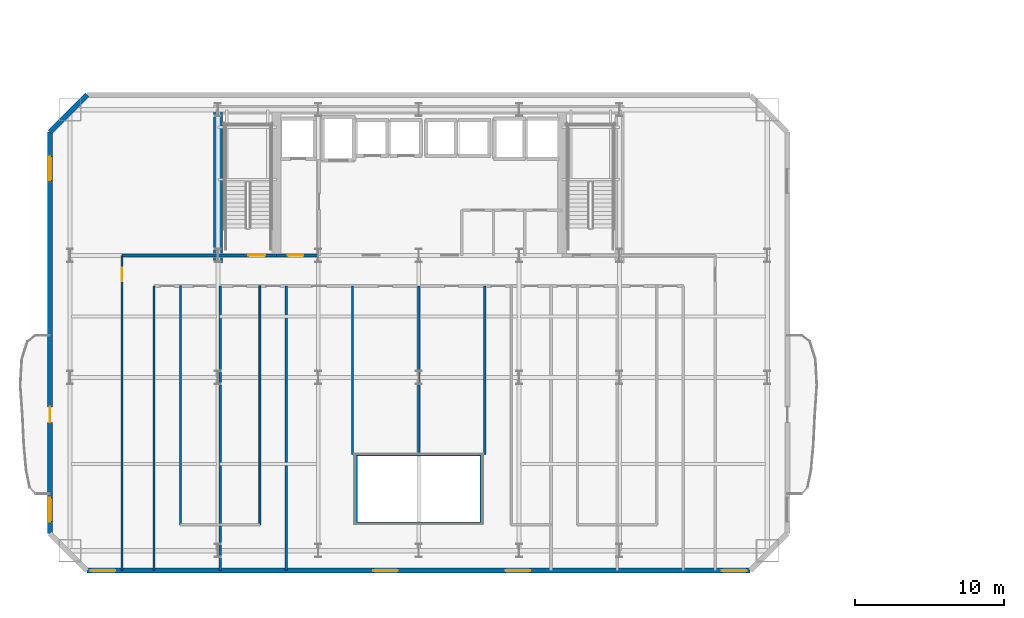
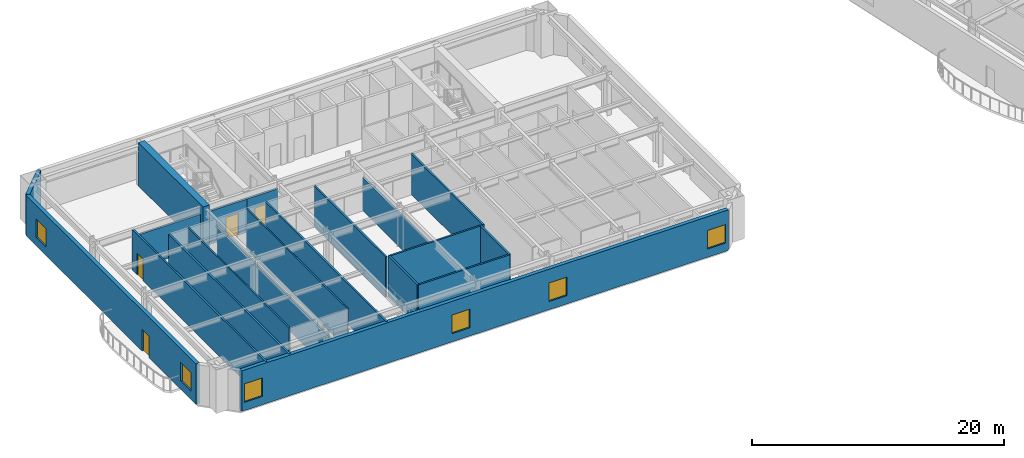
# One storey, part 5 of 15: 20 walls, 6 windows, 4 doors, 10 openings.
"""IFC4 building model written with IfcOpenShell, lengths in metres."""

from ifc_helpers import new_model, si_unit, direction, frame, frame_2d, origin, place, context, subcontext, project, spatial, rectangle, extrude, material, layer, layer_set, type_object, element, fill, save


model = new_model("IFC4")

# Units and contexts
model_context = context("Model", 3, precision=1e-05, world=origin(), true_north=direction((0.0, 1.0)))
body_context = subcontext(model_context, "Body", "Model", "MODEL_VIEW")
ifc_project = project(units=[si_unit("LENGTHUNIT", "METRE"), si_unit("AREAUNIT", "SQUARE_METRE"), si_unit("VOLUMEUNIT", "CUBIC_METRE"), si_unit("PLANEANGLEUNIT", "RADIAN"), si_unit("MASSUNIT", "GRAM", prefix="KILO")], contexts=[model_context])

# Site, building, storey
site_placement = place(None, origin())
site = spatial("IfcSite", under=ifc_project, at=site_placement, CompositionType="ELEMENT")
building_placement = place(site_placement, origin())
building = spatial("IfcBuilding", under=site, at=building_placement, Name="Haevon Station Towers", CompositionType="ELEMENT")
storey_placement = place(building_placement, frame((0.0, 0.0, 73.5)))
storey = spatial("IfcBuildingStorey", under=building, at=storey_placement, Name="L19", CompositionType="ELEMENT", Elevation=73.5)

# Walls
ifc_material_1 = material(Name="Gypsum board on steel stud", Category="steel")
ifc_layer_1 = layer(ifc_material_1, 0.179931640625)
ifc_layer_set_1 = layer_set([ifc_layer_1], Name="Gypsum board on steel stud")
wall_type_1 = type_object("IfcWallType", Name="WL-ACU180", PredefinedType="PARTITIONING", material=ifc_layer_set_1)
wall_1_placement = place(storey_placement, frame((17.550048828125, 38.199951171875, 0.0), z_axis=(0.0, 0.0, 1.0), x_axis=(1.0, 0.0, 0.0)))
element("IfcWall", 1, at=wall_1_placement, inside=storey, type_object=wall_type_1, Name="WL-T1PT-L19-03", PredefinedType="PARTITIONING", context=body_context, shape_type="SweptSolid", body=[
    extrude(rectangle(XDim=6.449951171875, YDim=0.179931640625, at=frame_2d((3.22509765625, 0.0))), origin(), (0.0, 0.0, 1.0), 3.22998046875),
])
wall_2_placement = place(storey_placement, frame((33.300048828125, 20.199951171875, 0.0), z_axis=(0.0, 0.0, 1.0), x_axis=(0.0, 1.0, 0.0)))
element("IfcWall", 2, at=wall_2_placement, inside=storey, type_object=wall_type_1, Name="WL-T1PT-L19-09", PredefinedType="PARTITIONING", context=body_context, shape_type="SweptSolid", body=[
    extrude(rectangle(XDim=4.60009765625, YDim=0.179931640625, at=frame_2d((2.300048828125, 0.0))), origin(), (0.0, 0.0, 1.0), 3.929931640625),
])
wall_3_placement = place(storey_placement, frame((37.5, 24.800048828125, 0.0), z_axis=(0.0, 0.0, 1.0), x_axis=(0.0, 1.0, 0.0)))
element("IfcWall", 3, at=wall_3_placement, inside=storey, type_object=wall_type_1, Name="WL-T1PT-L19-18", PredefinedType="PARTITIONING", context=body_context, shape_type="SweptSolid", body=[
    extrude(rectangle(XDim=11.349853515625, YDim=0.179931640625, at=frame_2d((5.6748046875, 0.0))), origin(), (0.0, 0.0, 1.0), 3.22998046875),
])

# Wall, opening, door
ifc_layer_2 = layer(ifc_material_1, 0.199951171875)
ifc_layer_set_2 = layer_set([ifc_layer_2], Name="Gypsum board on steel stud")
wall_type_2 = type_object("IfcWallType", Name="WL-COR200", PredefinedType="PARTITIONING", material=ifc_layer_set_2)
wall_4_placement = place(storey_placement, frame((24.0, 38.199951171875, 0.0), z_axis=(0.0, 0.0, 1.0), x_axis=(1.0, 0.0, 0.0)))
wall_4 = element("IfcWall", 4, at=wall_4_placement, inside=storey, type_object=wall_type_2, Name="WL-ST-ST1-L19", PredefinedType="PARTITIONING", context=body_context, shape_type="SweptSolid", body=[
    extrude(rectangle(XDim=3.949951171875, YDim=0.199951171875, at=frame_2d((1.97509765625, 0.0))), origin(), (0.0, 0.0, 1.0), 3.22998046875),
])
opening_1_placement = place(wall_4_placement, frame((2.050048828125, 0.0, 0.0)))
opening_1 = element("IfcOpeningElement", 5, at=opening_1_placement, cuts=wall_4, Name="Opening DR-ST-ST1-L19", PredefinedType="OPENING", context=body_context, shape_type="SweptSolid", body=[
    extrude(rectangle(XDim=1.1201171875, YDim=2.10009765625, at=frame_2d((0.56005859375, 1.050048828125))), frame((0.0, 0.10986328125, 0.0), z_axis=(0.0, -1.0, 0.0), x_axis=(1.0, 0.0, 0.0)), (0.0, 0.0, 1.0), 0.219970703125),
])
ifc_material_2 = material(Name="Engineered oak timber", Category="wood")
door_type_1 = type_object("IfcDoorType", Name="DR-ST-1120", OperationType="NOTDEFINED", PredefinedType="DOOR", material=ifc_material_2)
door_1_placement = place(opening_1_placement, origin())
door_1 = element("IfcDoor", 6, at=door_1_placement, inside=storey, type_object=door_type_1, Name="L19 Escape Stair ST1 Fire Door", OperationType="SINGLE_SWING_LEFT", OverallHeight=2.10009765625, OverallWidth=1.1201171875, PredefinedType="DOOR", context=body_context, shape_type="SweptSolid", body=[
    extrude(rectangle(XDim=1.1201171875, YDim=2.10009765625, at=frame_2d((0.56005859375, 1.050048828125))), frame((0.0, 0.02490234375, 0.0), z_axis=(0.0, -1.0, 0.0), x_axis=(1.0, 0.0, 0.0)), (0.0, 0.0, 1.0), 0.050048828125),
])
fill(opening_1, door_1)

wall_5_placement = place(storey_placement, frame((27.949951171875, 38.199951171875, 0.0), z_axis=(0.0, 0.0, 1.0), x_axis=(1.0, 0.0, 0.0)))
wall_5 = element("IfcWall", 7, at=wall_5_placement, inside=storey, type_object=wall_type_2, Name="WL-T1FFL-L19-S", PredefinedType="PARTITIONING", context=body_context, shape_type="SweptSolid", body=[
    extrude(rectangle(XDim=2.85009765625, YDim=0.199951171875, at=frame_2d((1.425048828125, 0.0))), origin(), (0.0, 0.0, 1.0), 3.22998046875),
])
opening_2_placement = place(wall_5_placement, frame((0.75, 0.0, 0.0)))
opening_2 = element("IfcOpeningElement", 8, at=opening_2_placement, cuts=wall_5, Name="Opening DR-T1FFL-L19-S", PredefinedType="OPENING", context=body_context, shape_type="SweptSolid", body=[
    extrude(rectangle(XDim=1.050048828125, YDim=2.10009765625, at=frame_2d((0.52490234375, 1.050048828125))), frame((0.0, 0.10986328125, 0.0), z_axis=(0.0, -1.0, 0.0), x_axis=(1.0, 0.0, 0.0)), (0.0, 0.0, 1.0), 0.219970703125),
])
door_type_2 = type_object("IfcDoorType", Name="DR-FD60-1050", OperationType="NOTDEFINED", PredefinedType="DOOR", material=ifc_material_2)
door_2_placement = place(opening_2_placement, origin())
door_2 = element("IfcDoor", 9, at=door_2_placement, inside=storey, type_object=door_type_2, Name="L19 Tower 1 Firefighting Lift Lobby Door S", OperationType="SINGLE_SWING_RIGHT", OverallHeight=2.10009765625, OverallWidth=1.050048828125, PredefinedType="DOOR", context=body_context, shape_type="SweptSolid", body=[
    extrude(rectangle(XDim=1.050048828125, YDim=2.10009765625, at=frame_2d((0.52490234375, 1.050048828125))), frame((0.0, 0.02490234375, 0.0), z_axis=(0.0, -1.0, 0.0), x_axis=(1.0, 0.0, 0.0)), (0.0, 0.0, 1.0), 0.050048828125),
])
fill(opening_2, door_2)

# Wall
ifc_material_3 = material(Name="Concrete C60/75", Category="concrete")
ifc_layer_3 = layer(ifc_material_3, 0.60009765625)
ifc_layer_set_3 = layer_set([ifc_layer_3], Name="Concrete C60/75")
wall_type_3 = type_object("IfcWallType", Name="WL-CR600", PredefinedType="SHEAR", material=ifc_layer_set_3)
wall_6_placement = place(storey_placement, frame((24.0, 37.679931640625, 0.0), z_axis=(0.0, 0.0, 1.0), x_axis=(0.0, 1.0, 0.0)))
element("IfcWall", 10, at=wall_6_placement, inside=storey, type_object=wall_type_3, Name="WL-T1CR-L19-W", PredefinedType="SHEAR", context=body_context, shape_type="SweptSolid", body=[
    extrude(rectangle(XDim=10.320068359375, YDim=0.60009765625, at=frame_2d((5.16015625, 0.0))), origin(), (0.0, 0.0, 1.0), 4.199951171875),
])

# Wall, openings, windows
ifc_material_4 = material(Name="Precast concrete C45/55", Category="concrete")
ifc_layer_4 = layer(ifc_material_4, 0.340087890625)
ifc_layer_set_4 = layer_set([ifc_layer_4], Name="Precast concrete C45/55")
wall_type_4 = type_object("IfcWallType", Name="WL-EXT-PIER340", PredefinedType="SOLIDWALL", material=ifc_layer_set_4)
wall_7_placement = place(storey_placement, frame((59.800048828125, 17.0, 0.0), z_axis=(0.0, 0.0, 1.0), x_axis=(-1.0, 0.0, 0.0)))
wall_7 = element("IfcWall", 11, at=wall_7_placement, inside=storey, type_object=wall_type_4, Name="WL-T1-L19-S", PredefinedType="SOLIDWALL", context=body_context, shape_type="SweptSolid", body=[
    extrude(rectangle(XDim=44.60009765625, YDim=0.340087890625, at=frame_2d((22.300048828125, 0.0))), origin(), (0.0, 0.0, 1.0), 3.929931640625),
])
opening_3_placement = place(wall_7_placement, frame((42.699951171875, 0.0, 0.800048828125)))
opening_3 = element("IfcOpeningElement", 12, at=opening_3_placement, cuts=wall_7, Name="Opening WN-P165", PredefinedType="OPENING", context=body_context, shape_type="SweptSolid", body=[
    extrude(rectangle(XDim=1.64990234375, YDim=1.800048828125, at=frame_2d((0.824951171875, 0.89990234375))), frame((0.0, 0.179931640625, 0.0), z_axis=(0.0, -1.0, 0.0), x_axis=(1.0, 0.0, 0.0)), (0.0, 0.0, 1.0), 0.360107421875),
])
opening_4_placement = place(wall_7_placement, frame((0.25, 0.0, 0.800048828125)))
opening_4 = element("IfcOpeningElement", 13, at=opening_4_placement, cuts=wall_7, Name="Opening WN-P165", PredefinedType="OPENING", context=body_context, shape_type="SweptSolid", body=[
    extrude(rectangle(XDim=1.64990234375, YDim=1.800048828125, at=frame_2d((0.824951171875, 0.89990234375))), frame((0.0, 0.179931640625, 0.0), z_axis=(0.0, -1.0, 0.0), x_axis=(1.0, 0.0, 0.0)), (0.0, 0.0, 1.0), 0.360107421875),
])
opening_5_placement = place(wall_7_placement, frame((23.699951171875, 0.0, 0.800048828125)))
opening_5 = element("IfcOpeningElement", 14, at=opening_5_placement, cuts=wall_7, Name="Opening WN-P165", PredefinedType="OPENING", context=body_context, shape_type="SweptSolid", body=[
    extrude(rectangle(XDim=1.64990234375, YDim=1.800048828125, at=frame_2d((0.824951171875, 0.89990234375))), frame((0.0, 0.179931640625, 0.0), z_axis=(0.0, -1.0, 0.0), x_axis=(1.0, 0.0, 0.0)), (0.0, 0.0, 1.0), 0.360107421875),
])
opening_6_placement = place(wall_7_placement, frame((14.800048828125, 0.0, 0.800048828125)))
opening_6 = element("IfcOpeningElement", 15, at=opening_6_placement, cuts=wall_7, Name="Opening WN-P165", PredefinedType="OPENING", context=body_context, shape_type="SweptSolid", body=[
    extrude(rectangle(XDim=1.64990234375, YDim=1.800048828125, at=frame_2d((0.824951171875, 0.89990234375))), frame((0.0, 0.179931640625, 0.0), z_axis=(0.0, -1.0, 0.0), x_axis=(1.0, 0.0, 0.0)), (0.0, 0.0, 1.0), 0.360107421875),
])
ifc_material_5 = material(Name="Low-E triple glazing in thermally broken aluminium", Category="aluminium")
window_type_1 = type_object("IfcWindowType", Name="WN-P165", PartitioningType="SINGLE_PANEL", PredefinedType="WINDOW", material=ifc_material_5)
window_1_placement = place(opening_3_placement, origin())
window_1 = element("IfcWindow", 16, at=window_1_placement, inside=storey, type_object=window_type_1, Name="WN-T1-L19-S01", OverallHeight=1.800048828125, OverallWidth=1.64990234375, PartitioningType="SINGLE_PANEL", PredefinedType="WINDOW", context=body_context, shape_type="SweptSolid", body=[
    extrude(rectangle(XDim=1.64990234375, YDim=1.800048828125, at=frame_2d((0.824951171875, 0.89990234375))), frame((0.0, 0.030029296875, 0.0), z_axis=(0.0, -1.0, 0.0), x_axis=(1.0, 0.0, 0.0)), (0.0, 0.0, 1.0), 0.06005859375),
])
fill(opening_3, window_1)
window_2_placement = place(opening_4_placement, origin())
window_2 = element("IfcWindow", 17, at=window_2_placement, inside=storey, type_object=window_type_1, Name="WN-T1-L19-S02", OverallHeight=1.800048828125, OverallWidth=1.64990234375, PartitioningType="SINGLE_PANEL", PredefinedType="WINDOW", context=body_context, shape_type="SweptSolid", body=[
    extrude(rectangle(XDim=1.64990234375, YDim=1.800048828125, at=frame_2d((0.824951171875, 0.89990234375))), frame((0.0, 0.030029296875, 0.0), z_axis=(0.0, -1.0, 0.0), x_axis=(1.0, 0.0, 0.0)), (0.0, 0.0, 1.0), 0.06005859375),
])
fill(opening_4, window_2)
window_3_placement = place(opening_5_placement, origin())
window_3 = element("IfcWindow", 18, at=window_3_placement, inside=storey, type_object=window_type_1, Name="WN-T1-L19-S03", OverallHeight=1.800048828125, OverallWidth=1.64990234375, PartitioningType="SINGLE_PANEL", PredefinedType="WINDOW", context=body_context, shape_type="SweptSolid", body=[
    extrude(rectangle(XDim=1.64990234375, YDim=1.800048828125, at=frame_2d((0.824951171875, 0.89990234375))), frame((0.0, 0.030029296875, 0.0), z_axis=(0.0, -1.0, 0.0), x_axis=(1.0, 0.0, 0.0)), (0.0, 0.0, 1.0), 0.06005859375),
])
fill(opening_5, window_3)
window_4_placement = place(opening_6_placement, origin())
window_4 = element("IfcWindow", 19, at=window_4_placement, inside=storey, type_object=window_type_1, Name="WN-T1-L19-S04", OverallHeight=1.800048828125, OverallWidth=1.64990234375, PartitioningType="SINGLE_PANEL", PredefinedType="WINDOW", context=body_context, shape_type="SweptSolid", body=[
    extrude(rectangle(XDim=1.64990234375, YDim=1.800048828125, at=frame_2d((0.824951171875, 0.89990234375))), frame((0.0, 0.030029296875, 0.0), z_axis=(0.0, -1.0, 0.0), x_axis=(1.0, 0.0, 0.0)), (0.0, 0.0, 1.0), 0.06005859375),
])
fill(opening_6, window_4)

# Wall, openings, door, windows
wall_8_placement = place(storey_placement, frame((12.699951171875, 19.5, 0.0), z_axis=(0.0, 0.0, 1.0), x_axis=(0.0, 1.0, 0.0)))
wall_8 = element("IfcWall", 20, at=wall_8_placement, inside=storey, type_object=wall_type_4, Name="WL-T1-L19-W", PredefinedType="SOLIDWALL", context=body_context, shape_type="SweptSolid", body=[
    extrude(rectangle(XDim=27.0, YDim=0.340087890625, at=frame_2d((13.5, 0.0))), origin(), (0.0, 0.0, 1.0), 3.929931640625),
])
opening_7_placement = place(wall_8_placement, frame((7.47509765625, 0.0, 0.0)))
opening_7 = element("IfcOpeningElement", 21, at=opening_7_placement, cuts=wall_8, Name="Opening DR-T1-SCAL-L19-W", PredefinedType="OPENING", context=body_context, shape_type="SweptSolid", body=[
    extrude(rectangle(XDim=1.050048828125, YDim=2.10009765625, at=frame_2d((0.52490234375, 1.050048828125))), frame((0.0, 0.179931640625, 0.0), z_axis=(0.0, -1.0, 0.0), x_axis=(1.0, 0.0, 0.0)), (0.0, 0.0, 1.0), 0.360107421875),
])
opening_8_placement = place(wall_8_placement, frame((0.800048828125, 0.0, 0.800048828125)))
opening_8 = element("IfcOpeningElement", 22, at=opening_8_placement, cuts=wall_8, Name="Opening WN-END160", PredefinedType="OPENING", context=body_context, shape_type="SweptSolid", body=[
    extrude(rectangle(XDim=1.60009765625, YDim=1.800048828125, at=frame_2d((0.800048828125, 0.89990234375))), frame((0.0, 0.179931640625, 0.0), z_axis=(0.0, -1.0, 0.0), x_axis=(1.0, 0.0, 0.0)), (0.0, 0.0, 1.0), 0.360107421875),
])
opening_9_placement = place(wall_8_placement, frame((23.75, 0.0, 0.800048828125)))
opening_9 = element("IfcOpeningElement", 23, at=opening_9_placement, cuts=wall_8, Name="Opening WN-END160", PredefinedType="OPENING", context=body_context, shape_type="SweptSolid", body=[
    extrude(rectangle(XDim=1.60009765625, YDim=1.800048828125, at=frame_2d((0.800048828125, 0.89990234375))), frame((0.0, 0.179931640625, 0.0), z_axis=(0.0, -1.0, 0.0), x_axis=(1.0, 0.0, 0.0)), (0.0, 0.0, 1.0), 0.360107421875),
])
ifc_material_6 = material(Name="Thermally broken anodised aluminium and laminated safety glass", Category="aluminium")
door_type_3 = type_object("IfcDoorType", Name="DR-BALC-1050", OperationType="NOTDEFINED", PredefinedType="DOOR", material=ifc_material_6)
door_3_placement = place(opening_7_placement, origin())
door_3 = element("IfcDoor", 24, at=door_3_placement, inside=storey, type_object=door_type_3, Name="Tower 1 L19 West Scalloped Balcony Door", OperationType="SINGLE_SWING_RIGHT", OverallHeight=2.10009765625, OverallWidth=1.050048828125, PredefinedType="DOOR", context=body_context, shape_type="SweptSolid", body=[
    extrude(rectangle(XDim=1.050048828125, YDim=2.10009765625, at=frame_2d((0.52490234375, 1.050048828125))), frame((0.0, 0.02490234375, 0.0), z_axis=(0.0, -1.0, 0.0), x_axis=(1.0, 0.0, 0.0)), (0.0, 0.0, 1.0), 0.050048828125),
])
fill(opening_7, door_3)
window_type_2 = type_object("IfcWindowType", Name="WN-END160", PartitioningType="SINGLE_PANEL", PredefinedType="WINDOW", material=ifc_material_5)
window_5_placement = place(opening_8_placement, origin())
window_5 = element("IfcWindow", 25, at=window_5_placement, inside=storey, type_object=window_type_2, Name="WN-T1-L19-W01", OverallHeight=1.800048828125, OverallWidth=1.60009765625, PartitioningType="SINGLE_PANEL", PredefinedType="WINDOW", context=body_context, shape_type="SweptSolid", body=[
    extrude(rectangle(XDim=1.60009765625, YDim=1.800048828125, at=frame_2d((0.800048828125, 0.89990234375))), frame((0.0, 0.030029296875, 0.0), z_axis=(0.0, -1.0, 0.0), x_axis=(1.0, 0.0, 0.0)), (0.0, 0.0, 1.0), 0.06005859375),
])
fill(opening_8, window_5)
window_6_placement = place(opening_9_placement, origin())
window_6 = element("IfcWindow", 26, at=window_6_placement, inside=storey, type_object=window_type_2, Name="WN-T1-L19-W02", OverallHeight=1.800048828125, OverallWidth=1.60009765625, PartitioningType="SINGLE_PANEL", PredefinedType="WINDOW", context=body_context, shape_type="SweptSolid", body=[
    extrude(rectangle(XDim=1.60009765625, YDim=1.800048828125, at=frame_2d((0.800048828125, 0.89990234375))), frame((0.0, 0.030029296875, 0.0), z_axis=(0.0, -1.0, 0.0), x_axis=(1.0, 0.0, 0.0)), (0.0, 0.0, 1.0), 0.06005859375),
])
fill(opening_9, window_6)

# Walls
wall_9_placement = place(storey_placement, frame((12.699951171875, 46.5, 0.0), z_axis=(0.0, 0.0, 1.0), x_axis=(0.707106781187, 0.707106781187, 0.0)))
element("IfcWall", 27, at=wall_9_placement, inside=storey, type_object=wall_type_4, Name="WL-T1-L19-NWC", PredefinedType="SOLIDWALL", context=body_context, shape_type="SweptSolid", body=[
    extrude(rectangle(XDim=3.53564453125, YDim=0.340087890625, at=frame_2d((1.767822265625, 0.0))), origin(), (0.0, 0.0, 1.0), 3.929931640625),
])
ifc_layer_5 = layer(ifc_material_1, 0.125)
ifc_layer_set_5 = layer_set([ifc_layer_5], Name="Gypsum board on steel stud")
wall_type_5 = type_object("IfcWallType", Name="WL-PRT125", PredefinedType="PARTITIONING", material=ifc_layer_set_5)
for number, where, z_axis, x_axis, name in (
    (28, (21.47998046875, 20.10009765625, 0.0), (0.0, 0.0, 1.0), (0.0, 1.0, 0.0), "WL-T1PT-L19-12"),
    (29, (26.820068359375, 20.10009765625, 0.0), (0.0, 0.0, 1.0), (0.0, 1.0, 0.0), "WL-T1PT-L19-15"),
):
    element("IfcWall", number, at=place(storey_placement, frame(where, z_axis=z_axis, x_axis=x_axis)), inside=storey, type_object=wall_type_5, Name=name, PredefinedType="PARTITIONING", context=body_context, shape_type="SweptSolid", body=[
        extrude(rectangle(XDim=16.0498046875, YDim=0.125, at=frame_2d((8.02490234375, 0.0))), origin(), (0.0, 0.0, 1.0), 3.929931640625),
    ])
ifc_layer_6 = layer(ifc_material_1, 0.159912109375)
ifc_layer_set_6 = layer_set([ifc_layer_6], Name="Gypsum board on steel stud")
wall_type_6 = type_object("IfcWallType", Name="WL-PRT160", PredefinedType="PARTITIONING", material=ifc_layer_set_6)
wall_10_placement = place(storey_placement, frame((19.699951171875, 17.0, 0.0), z_axis=(0.0, 0.0, 1.0), x_axis=(0.0, 1.0, 0.0)))
element("IfcWall", 30, at=wall_10_placement, inside=storey, type_object=wall_type_6, Name="WL-T1PT-L19-01", PredefinedType="PARTITIONING", context=body_context, shape_type="SweptSolid", body=[
    extrude(rectangle(XDim=19.14990234375, YDim=0.159912109375, at=frame_2d((9.574951171875, 0.0))), origin(), (0.0, 0.0, 1.0), 3.929931640625),
])

# Wall, opening, door
wall_11_placement = place(storey_placement, frame((17.550048828125, 17.0, 0.0), z_axis=(0.0, 0.0, 1.0), x_axis=(0.0, 1.0, 0.0)))
wall_11 = element("IfcWall", 31, at=wall_11_placement, inside=storey, type_object=wall_type_6, Name="WL-T1PT-L19-05", PredefinedType="PARTITIONING", context=body_context, shape_type="SweptSolid", body=[
    extrude(rectangle(XDim=21.199951171875, YDim=0.159912109375, at=frame_2d((10.60009765625, 0.0))), origin(), (0.0, 0.0, 1.0), 3.929931640625),
])
opening_10_placement = place(wall_11_placement, frame((19.469970703125, 0.0, 0.0)))
opening_10 = element("IfcOpeningElement", 32, at=opening_10_placement, cuts=wall_11, Name="Opening DR-WL-T1PT-L19-05-01", PredefinedType="OPENING", context=body_context, shape_type="SweptSolid", body=[
    extrude(rectangle(XDim=0.89990234375, YDim=2.050048828125, at=frame_2d((0.449951171875, 1.02490234375))), frame((0.0, 0.08984375, 0.0), z_axis=(0.0, -1.0, 0.0), x_axis=(1.0, 0.0, 0.0)), (0.0, 0.0, 1.0), 0.179931640625),
])
door_type_4 = type_object("IfcDoorType", Name="DR-INT-900", OperationType="NOTDEFINED", PredefinedType="DOOR", material=ifc_material_2)
door_4_placement = place(opening_10_placement, origin())
door_4 = element("IfcDoor", 33, at=door_4_placement, inside=storey, type_object=door_type_4, Name="L19 Tower 1 Room Door 5-1", OperationType="SINGLE_SWING_RIGHT", OverallHeight=2.050048828125, OverallWidth=0.89990234375, PredefinedType="DOOR", context=body_context, shape_type="SweptSolid", body=[
    extrude(rectangle(XDim=0.89990234375, YDim=2.050048828125, at=frame_2d((0.449951171875, 1.02490234375))), frame((0.0, 0.02490234375, 0.0), z_axis=(0.0, -1.0, 0.0), x_axis=(1.0, 0.0, 0.0)), (0.0, 0.0, 1.0), 0.050048828125),
])
fill(opening_10, door_4)

# Walls
for number, where, z_axis, x_axis, name in (
    (34, (33.300048828125, 20.199951171875, 0.0), (0.0, 0.0, 1.0), (1.0, 0.0, 0.0), "WL-T1PT-L19-07"),
    (35, (33.300048828125, 24.800048828125, 0.0), (0.0, 0.0, 1.0), (1.0, 0.0, 0.0), "WL-T1PT-L19-08"),
):
    element("IfcWall", number, at=place(storey_placement, frame(where, z_axis=z_axis, x_axis=x_axis)), inside=storey, type_object=wall_type_6, Name=name, PredefinedType="PARTITIONING", context=body_context, shape_type="SweptSolid", body=[
        extrude(rectangle(XDim=8.39990234375, YDim=0.159912109375, at=frame_2d((4.199951171875, 0.0))), origin(), (0.0, 0.0, 1.0), 3.929931640625),
    ])
wall_12_placement = place(storey_placement, frame((41.699951171875, 20.199951171875, 0.0), z_axis=(0.0, 0.0, 1.0), x_axis=(0.0, 1.0, 0.0)))
element("IfcWall", 36, at=wall_12_placement, inside=storey, type_object=wall_type_6, Name="WL-T1PT-L19-10", PredefinedType="PARTITIONING", context=body_context, shape_type="SweptSolid", body=[
    extrude(rectangle(XDim=4.60009765625, YDim=0.159912109375, at=frame_2d((2.300048828125, 0.0))), origin(), (0.0, 0.0, 1.0), 3.929931640625),
])
wall_13_placement = place(storey_placement, frame((24.14990234375, 17.0, 0.0), z_axis=(0.0, 0.0, 1.0), x_axis=(0.0, 1.0, 0.0)))
element("IfcWall", 37, at=wall_13_placement, inside=storey, type_object=wall_type_6, Name="WL-T1PT-L19-13", PredefinedType="PARTITIONING", context=body_context, shape_type="SweptSolid", body=[
    extrude(rectangle(XDim=19.14990234375, YDim=0.159912109375, at=frame_2d((9.574951171875, 0.0))), origin(), (0.0, 0.0, 1.0), 3.22998046875),
])
wall_14_placement = place(storey_placement, frame((28.60009765625, 17.0, 0.0), z_axis=(0.0, 0.0, 1.0), x_axis=(0.0, 1.0, 0.0)))
element("IfcWall", 38, at=wall_14_placement, inside=storey, type_object=wall_type_6, Name="WL-T1PT-L19-16", PredefinedType="PARTITIONING", context=body_context, shape_type="SweptSolid", body=[
    extrude(rectangle(XDim=19.14990234375, YDim=0.159912109375, at=frame_2d((9.574951171875, 0.0))), origin(), (0.0, 0.0, 1.0), 3.929931640625),
])
for number, where, z_axis, x_axis, name in (
    (39, (33.050048828125, 24.800048828125, 0.0), (0.0, 0.0, 1.0), (0.0, 1.0, 0.0), "WL-T1PT-L19-17"),
    (40, (41.949951171875, 24.800048828125, 0.0), (0.0, 0.0, 1.0), (0.0, 1.0, 0.0), "WL-T1PT-L19-20"),
):
    element("IfcWall", number, at=place(storey_placement, frame(where, z_axis=z_axis, x_axis=x_axis)), inside=storey, type_object=wall_type_6, Name=name, PredefinedType="PARTITIONING", context=body_context, shape_type="SweptSolid", body=[
        extrude(rectangle(XDim=11.349853515625, YDim=0.159912109375, at=frame_2d((5.6748046875, 0.0))), origin(), (0.0, 0.0, 1.0), 3.929931640625),
    ])

save(model, "model.ifc")
